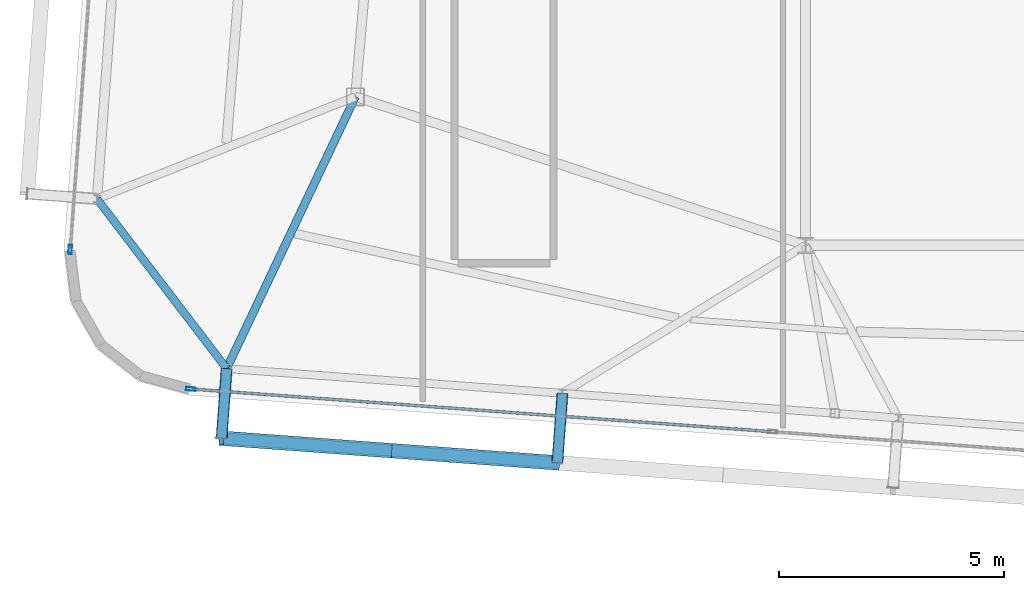
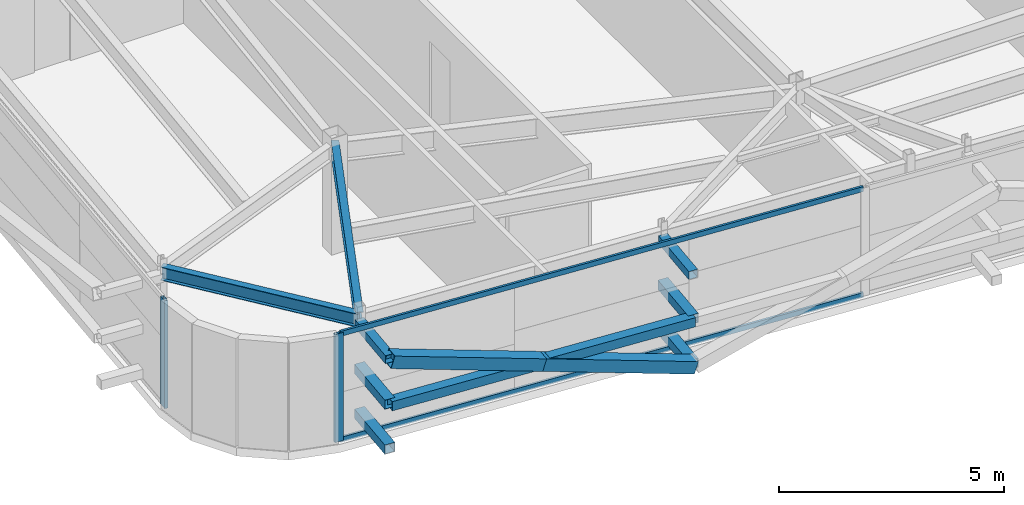
# One storey, part 9 of 34: 13 members, 2 beams, 2 elements without a shape of their own.
"""IFC4 building model written with IfcOpenShell, lengths in metres."""

from ifc_helpers import new_model, si_unit, direction, frame, origin, origin_2d, place, context, subcontext, project, spatial, hollow_rectangle, i_section, extrude, source, transform, mapped, material, layer, layer_set, material_profile, profile_set, type_object, element, aggregate, save


model = new_model("IFC4")

# Units and contexts
model_context = context("Model", 3, precision=1e-05, world=origin(), true_north=direction((0.0, 1.0)))
body_context = subcontext(model_context, "Body", "Model", "MODEL_VIEW")
ifc_project = project(units=[si_unit("LENGTHUNIT", "METRE"), si_unit("AREAUNIT", "SQUARE_METRE"), si_unit("VOLUMEUNIT", "CUBIC_METRE"), si_unit("PLANEANGLEUNIT", "RADIAN"), si_unit("MASSUNIT", "GRAM", prefix="KILO")], contexts=[model_context])

# Site, building, storey
site_placement = place(None, origin())
site = spatial("IfcSite", under=ifc_project, at=site_placement, CompositionType="ELEMENT")
building_placement = place(site_placement, origin())
building = spatial("IfcBuilding", under=site, at=building_placement, Name="Taldren Reach Tower", CompositionType="ELEMENT")
storey_placement = place(building_placement, frame((0.0, 0.0, 246.050048828125)))
storey = spatial("IfcBuildingStorey", under=building, at=storey_placement, Name="L75", CompositionType="ELEMENT", Elevation=246.050048828125)

# Members
ifc_material_1 = material(Name="Steel Gr 350 (C350L0)", Category="steel")
ifc_material_profile_1 = material_profile(ifc_material_1, hollow_rectangle(XDim=0.25, YDim=0.25, WallThickness=0.010009765625, at=origin_2d()), Name="250x250x10.0SHS")
ifc_profile_set_1 = profile_set([ifc_material_profile_1], Name="Steel Gr 350 (C350L0)")
member_type_1 = type_object("IfcMemberType", Name="MB-POST250", PredefinedType="POST", material=ifc_profile_set_1)
shared_shape_1 = source(origin(), body_context, "Body", "SweptSolid", [
    extrude(hollow_rectangle(XDim=0.25, YDim=0.25, WallThickness=0.010009765625, at=origin_2d()), origin(), (0.0, 0.0, 1.0), 1.5498046875),
])
for number, where, z_axis, x_axis, name in (
    (1, (22.6005859375, 5.912353515625, 0.219970703125), (-0.073250797913, -0.997313551801, 0.0), (0.997313551801, -0.073250797913, 0.0), "Exoskeleton base diaphragm tie strut B5-S2 L75"),
    (2, (22.6005859375, 5.912353515625, 1.43505859375), (-0.073250797913, -0.997313551801, 0.0), (0.997313551801, -0.073250797913, 0.0), "Exoskeleton mid-tier diaphragm tie B5-S2 L75"),
):
    element("IfcMember", number, at=place(storey_placement, frame(where, z_axis=z_axis, x_axis=x_axis)), inside=storey, type_object=member_type_1, Name=name, PredefinedType="POST", context=body_context, shape_type="MappedRepresentation", body=[
        mapped(shared_shape_1, transform((0.0, 0.0, 0.0), scale=1.0)),
    ])
shared_shape_2 = source(origin(), body_context, "Body", "SweptSolid", [
    extrude(hollow_rectangle(XDim=0.25, YDim=0.25, WallThickness=0.010009765625, at=origin_2d()), origin(), (0.0, 0.0, 1.0), 1.550048828125),
])
for number, where, z_axis, x_axis, name in (
    (3, (15.140625, 6.460205078125, 0.219970703125), (-0.07323929162, -0.997314396849, 0.0), (0.997314396849, -0.07323929162, 0.0), "Exoskeleton base diaphragm tie strut B5-S1 L75"),
    (4, (15.140625, 6.460205078125, 1.43505859375), (-0.07323929162, -0.997314396849, 0.0), (0.997314396849, -0.07323929162, 0.0), "Exoskeleton mid-tier diaphragm tie B5-S1 L75"),
):
    element("IfcMember", number, at=place(storey_placement, frame(where, z_axis=z_axis, x_axis=x_axis)), inside=storey, type_object=member_type_1, Name=name, PredefinedType="POST", context=body_context, shape_type="MappedRepresentation", body=[
        mapped(shared_shape_2, transform((0.0, 0.0, 0.0), scale=1.0)),
    ])
ifc_material_2 = material(Name="Steel Gr 450 (C450L0)", Category="steel")
ifc_material_profile_2 = material_profile(ifc_material_2, hollow_rectangle(XDim=0.219970703125, YDim=0.219970703125, WallThickness=0.00830078125, at=origin_2d()), Name="220x220x8.2SHS")
ifc_profile_set_2 = profile_set([ifc_material_profile_2], Name="Steel Gr 450 (C450L0)")
member_type_2 = type_object("IfcMemberType", Name="MB-TIE219", PredefinedType="STRUT", material=ifc_profile_set_2)
shared_shape_3 = source(origin(), body_context, "Body", "SweptSolid", [
    extrude(hollow_rectangle(XDim=0.219970703125, YDim=0.219970703125, WallThickness=0.00830078125, at=origin_2d()), origin(), (0.0, 0.0, 1.0), 1.5498046875),
])
member_1_placement = place(storey_placement, frame((22.6005859375, 5.912353515625, 2.64990234375), z_axis=(-0.073250797913, -0.997313551801, 0.0), x_axis=(0.997313551801, -0.073250797913, 0.0)))
element("IfcMember", 5, at=member_1_placement, inside=storey, type_object=member_type_2, Name="Exoskeleton diaphragm tie strut B5-S2 L75", PredefinedType="STRUT", context=body_context, shape_type="MappedRepresentation", body=[
    mapped(shared_shape_3, transform((0.0, 0.0, 0.0), scale=1.0)),
])
shared_shape_4 = source(origin(), body_context, "Body", "SweptSolid", [
    extrude(hollow_rectangle(XDim=0.219970703125, YDim=0.219970703125, WallThickness=0.00830078125, at=origin_2d()), origin(), (0.0, 0.0, 1.0), 1.550048828125),
])
member_2_placement = place(storey_placement, frame((15.140625, 6.460205078125, 2.64990234375), z_axis=(-0.07323929162, -0.997314396849, 0.0), x_axis=(0.997314396849, -0.07323929162, 0.0)))
element("IfcMember", 6, at=member_2_placement, inside=storey, type_object=member_type_2, Name="Exoskeleton diaphragm tie strut B5-S1 L75", PredefinedType="STRUT", context=body_context, shape_type="MappedRepresentation", body=[
    mapped(shared_shape_4, transform((0.0, 0.0, 0.0), scale=1.0)),
])

# Beams
ifc_material_3 = material(Name="Steel Gr 350 (350PLUS)", Category="steel")
ifc_material_profile_3 = material_profile(ifc_material_3, i_section(OverallWidth=0.172119140625, OverallDepth=0.35888671875, WebThickness=0.008056640625, FlangeThickness=0.012939453125, at=origin_2d()), Name="360UB56.7")
ifc_profile_set_3 = profile_set([ifc_material_profile_3], Name="Steel Gr 350 (350PLUS)")
beam_type_1 = type_object("IfcBeamType", Name="SP-UB360", PredefinedType="SPANDREL", material=ifc_profile_set_3)
shared_shape_5 = source(origin(), body_context, "Body", "SweptSolid", [
    extrude(i_section(OverallWidth=0.172119140625, OverallDepth=0.35888671875, WebThickness=0.008056640625, FlangeThickness=0.012939453125, at=origin_2d()), origin(), (0.0, 0.0, 1.0), 4.74609375),
])
beam_1_placement = place(storey_placement, frame((12.259033203125, 10.2314453125, 2.75048828125), z_axis=(0.607144568334, -0.794591387533, 0.0), x_axis=(0.794591387533, 0.607144568334, 0.0)))
element("IfcBeam", 7, at=beam_1_placement, inside=storey, type_object=beam_type_1, Name="Perimeter spandrel B5 W1-S1 L75", PredefinedType="SPANDREL", context=body_context, shape_type="MappedRepresentation", body=[
    mapped(shared_shape_5, transform((0.0, 0.0, 0.0), scale=1.0)),
])
ifc_material_profile_4 = material_profile(ifc_material_3, i_section(OverallWidth=0.177978515625, OverallDepth=0.406005859375, WebThickness=0.0078125, FlangeThickness=0.0126953125, at=origin_2d()), Name="410UB59.7")
ifc_profile_set_4 = profile_set([ifc_material_profile_4], Name="Steel Gr 350 (350PLUS)")
beam_type_2 = type_object("IfcBeamType", Name="BM-UB410", PredefinedType="BEAM", material=ifc_profile_set_4)
shared_shape_6 = source(origin(), body_context, "Body", "SweptSolid", [
    extrude(i_section(OverallWidth=0.177978515625, OverallDepth=0.406005859375, WebThickness=0.0078125, FlangeThickness=0.0126953125, at=origin_2d()), origin(), (0.0, 0.0, 1.0), 6.682373046875),
])
beam_2_placement = place(storey_placement, frame((18.0, 12.5, 2.72705078125), z_axis=(-0.427893164494, -0.903829320049, 0.0), x_axis=(0.903829320049, -0.427893164494, 0.0)))
element("IfcBeam", 8, at=beam_2_placement, inside=storey, type_object=beam_type_2, Name="Primary floor girder B5-S1 L75", PredefinedType="BEAM", context=body_context, shape_type="MappedRepresentation", body=[
    mapped(shared_shape_6, transform((0.0, 0.0, 0.0), scale=1.0)),
])

# Members
ifc_material_profile_5 = material_profile(ifc_material_2, hollow_rectangle(XDim=0.324951171875, YDim=0.324951171875, WallThickness=0.0126953125, at=origin_2d()), Name="325x325x12.7SHS")
ifc_profile_set_5 = profile_set([ifc_material_profile_5], Name="Steel Gr 450 (C450L0)")
member_type_3 = type_object("IfcMemberType", Name="MB-BR324", PredefinedType="BRACE", material=ifc_profile_set_5)
shared_shape_7 = source(origin(), body_context, "Body", "SweptSolid", [
    extrude(hollow_rectangle(XDim=0.324951171875, YDim=0.324951171875, WallThickness=0.0126953125, at=origin_2d()), origin(), (0.0, 0.0, 1.0), 3.932373046875),
])
for number, where, z_axis, x_axis, name in (
    (9, (22.487060546875, 4.36669921875, 0.219970703125), (-0.948515232963, 0.069595861772, 0.308990726172), (-0.073176762938, -0.997318986767, 0.0), "Exoskeleton Diagrid Brace B5-S1 L75"),
    (10, (18.757080078125, 4.640380859375, 1.43505859375), (-0.948529326954, 0.06965898055, 0.308933232813), (-0.07324169103, -0.997314220642, 0.0), "Exoskeleton Diagrid Brace B5-S1 L75"),
):
    element("IfcMember", number, at=place(storey_placement, frame(where, z_axis=z_axis, x_axis=x_axis)), inside=storey, type_object=member_type_3, Name=name, PredefinedType="BRACE", context=body_context, shape_type="MappedRepresentation", body=[
        mapped(shared_shape_7, transform((0.0, 0.0, 0.0), scale=1.0)),
    ])
shared_shape_8 = source(origin(), body_context, "Body", "SweptSolid", [
    extrude(hollow_rectangle(XDim=0.25, YDim=0.25, WallThickness=0.010009765625, at=origin_2d()), origin(), (0.0, 0.0, 1.0), 7.47998046875),
])
member_3_placement = place(storey_placement, frame((15.027099609375, 4.914306640625, 1.43505859375), z_axis=(0.997316604227, -0.0732092271, 0.0), x_axis=(0.0732092271, 0.997316604227, 0.0)))
element("IfcMember", 11, at=member_3_placement, inside=storey, type_object=member_type_1, Name="Exoskeleton mid-height ring chord B5-S1 L75", PredefinedType="POST", context=body_context, shape_type="MappedRepresentation", body=[
    mapped(shared_shape_8, transform((0.0, 0.0, 0.0), scale=1.0)),
])

# Curtain wall, members
ifc_material_4 = material(Name="Aluminium and Low-E Glass Unitised System", Category="aluminium")
ifc_layer = layer(ifc_material_4, 0.159912109375)
ifc_layer_set = layer_set([ifc_layer], Name="Aluminium and Low-E Glass Unitised System")
curtain_wall_type = type_object("IfcCurtainWallType", Name="CW-SYS-6", PredefinedType="NOTDEFINED", material=ifc_layer_set)
curtain_wall_1_placement = place(storey_placement, origin())
curtain_wall_1 = element("IfcCurtainWall", 12, at=curtain_wall_1_placement, inside=storey, type_object=curtain_wall_type, Name="Unitised curtain wall CW-L75-S", PredefinedType="NOTDEFINED")
ifc_material_5 = material(Name="Anodised Aluminium 6063-T6", Category="aluminium")
ifc_material_profile_6 = material_profile(ifc_material_5, hollow_rectangle(XDim=0.06005859375, YDim=0.135009765625, WallThickness=0.00341796875, at=origin_2d()), Name="ALU-135x60x3.5RHS")
ifc_profile_set_6 = profile_set([ifc_material_profile_6], Name="Anodised Aluminium 6063-T6")
member_type_4 = type_object("IfcMemberType", Name="CW-TRN-150", PredefinedType="USERDEFINED", material=ifc_profile_set_6)
shared_shape_9 = source(origin(), body_context, "Body", "SweptSolid", [
    extrude(hollow_rectangle(XDim=0.06005859375, YDim=0.135009765625, WallThickness=0.00341796875, at=origin_2d()), origin(), (0.0, 0.0, 1.0), 12.887451171875),
])
member_4_placement = place(storey_placement, frame((14.38037109375, 6.004638671875, 0.030029296875), z_axis=(0.997314487101, -0.07323806263, 0.0), x_axis=(0.07323806263, 0.997314487101, 0.0)))
member_4 = element("IfcMember", 13, at=member_4_placement, type_object=member_type_4, Name="CW-6 transom 1.1", ObjectType="TRANSOM", PredefinedType="USERDEFINED", context=body_context, shape_type="MappedRepresentation", body=[
    mapped(shared_shape_9, transform((0.0, 0.0, 0.0), scale=1.0)),
])
member_5_placement = place(storey_placement, frame((14.38037109375, 6.004638671875, 2.89990234375), z_axis=(0.997314487101, -0.07323806263, 0.0), x_axis=(0.07323806263, 0.997314487101, 0.0)))
member_5 = element("IfcMember", 14, at=member_5_placement, type_object=member_type_4, Name="CW-6 transom 1.2", ObjectType="TRANSOM", PredefinedType="USERDEFINED", context=body_context, shape_type="MappedRepresentation", body=[
    mapped(shared_shape_9, transform((0.0, 0.0, 0.0), scale=1.0)),
])
ifc_material_profile_7 = material_profile(ifc_material_5, hollow_rectangle(XDim=0.074951171875, YDim=0.2099609375, WallThickness=0.00439453125, at=origin_2d()), Name="ALU-210x75x4.5RHS")
ifc_profile_set_7 = profile_set([ifc_material_profile_7], Name="Anodised Aluminium 6063-T6")
member_type_5 = type_object("IfcMemberType", Name="CW-MUL-200", PredefinedType="MULLION", material=ifc_profile_set_7)
shared_shape_10 = source(origin(), body_context, "Body", "SweptSolid", [
    extrude(hollow_rectangle(XDim=0.074951171875, YDim=0.2099609375, WallThickness=0.00439453125, at=origin_2d()), origin(), (0.0, 0.0, 1.0), 2.929931640625),
])
member_6_placement = place(storey_placement, frame((14.3427734375, 6.007568359375, 0.0), z_axis=(0.0, 0.0, 1.0), x_axis=(0.073238213716, 0.997314476006, 0.0)))
member_6 = element("IfcMember", 15, at=member_6_placement, type_object=member_type_5, Name="CW-6 mullion 1", PredefinedType="MULLION", context=body_context, shape_type="MappedRepresentation", body=[
    mapped(shared_shape_10, transform((0.0, 0.0, 0.0), scale=1.0)),
])
aggregate(curtain_wall_1, [member_6, member_4, member_5])

# Curtain wall, member
curtain_wall_2_placement = place(storey_placement, origin())
curtain_wall_2 = element("IfcCurtainWall", 16, at=curtain_wall_2_placement, inside=storey, type_object=curtain_wall_type, Name="Unitised curtain wall CW-L75-W", PredefinedType="NOTDEFINED")
member_7_placement = place(storey_placement, frame((11.665283203125, 9.109375, 0.0), z_axis=(0.0, 0.0, 1.0), x_axis=(0.997314470951, -0.073238282558, 0.0)))
member_7 = element("IfcMember", 17, at=member_7_placement, type_object=member_type_5, Name="CW-6 mullion 3", PredefinedType="MULLION", context=body_context, shape_type="MappedRepresentation", body=[
    mapped(shared_shape_10, transform((0.0, 0.0, 0.0), scale=1.0)),
])
aggregate(curtain_wall_2, [member_7])

save(model, "model.ifc")
